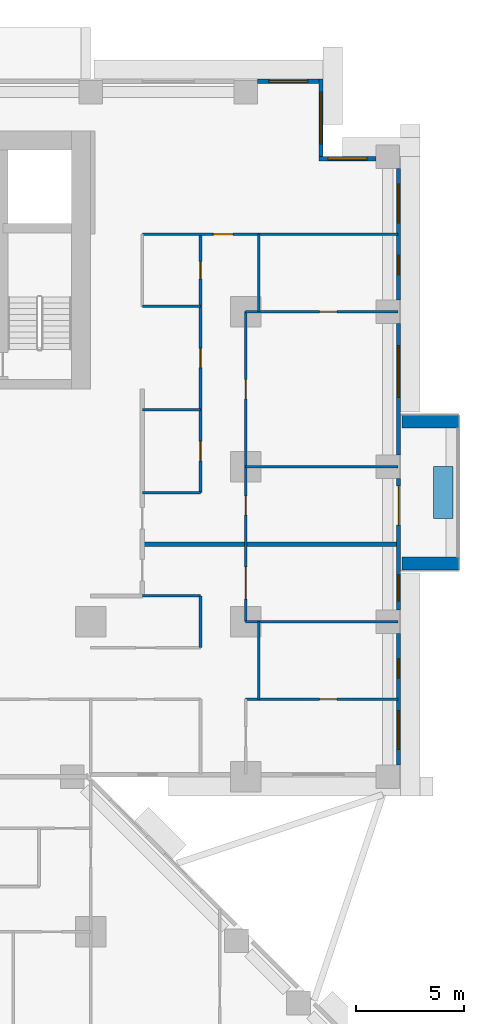
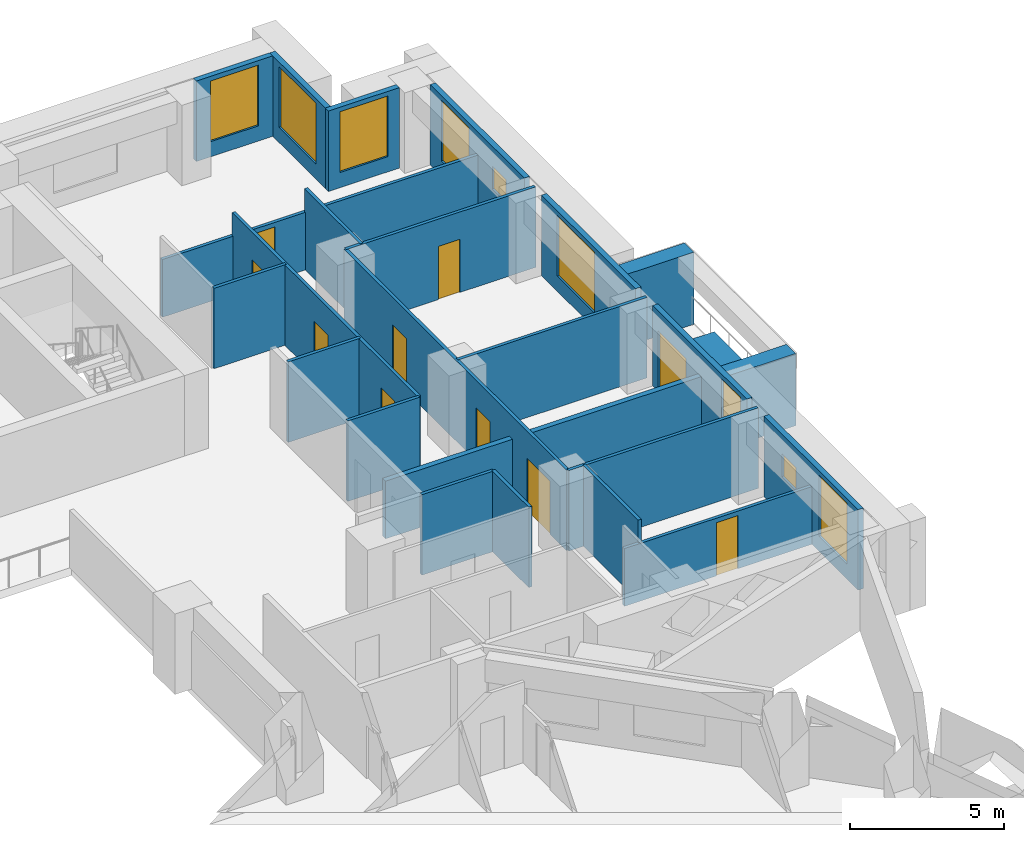
# One storey, part 12 of 17: 25 walls, 10 doors, 9 windows, 19 openings.
"""IFC4 building model written with IfcOpenShell, lengths in metres."""

import ifcopenshell
import ifcopenshell.guid

model = None  # the IFC model being written
_history = None  # IfcOwnerHistory: only IFC2X3 demands one
_inside = {}  # id of a spatial element -> (the spatial element, [elements in it])
_under = {}  # id of a project, library or spatial element -> (it, [spatial elements below it])
_declared = {}  # id of a project -> (the project, [libraries it declares])
_typed = {}  # id of a type object -> (the type object, [elements of that type])
_made_of = {}  # id of a material, layer set ... -> (it, [elements and type objects made of it])


def new_model(schema):
    """Start an empty IFC model of exactly this schema.

    Asked for "IFC4X3", IfcOpenShell would pick the latest addendum, in which some entities
    have other attributes; the version numbers below select the first issue.
    IFC2X3 requires an IfcOwnerHistory on every rooted entity: one is made here for all.
    """
    global model, _history
    if schema == "IFC4X3":
        model = ifcopenshell.file(schema_version=(4, 3, 0, 0))
    else:
        model = ifcopenshell.file(schema=schema)
    _inside.clear()
    _under.clear()
    _declared.clear()
    _typed.clear()
    _made_of.clear()
    _history = None
    if model.schema == "IFC2X3":
        org = make("IfcOrganization", Name="unknown")
        user = make(
            "IfcPersonAndOrganization",
            ThePerson=make("IfcPerson", FamilyName="unknown"),
            TheOrganization=org,
        )
        app = make(
            "IfcApplication",
            ApplicationDeveloper=org,
            Version="unknown",
            ApplicationFullName="unknown",
            ApplicationIdentifier="unknown",
        )
        _history = make(
            "IfcOwnerHistory",
            OwningUser=user,
            OwningApplication=app,
            ChangeAction="ADDED",
            CreationDate=0,
        )
    return model


def make(cls, **values):
    """One entity of the class cls with the attributes given. An attribute that is None is left unset."""
    return model.create_entity(
        cls, **{name: value for name, value in values.items() if value is not None}
    )


def rooted(cls, **values):
    """An entity with a GlobalId (a new one), such as an element, a storey or a relation."""
    return make(cls, GlobalId=ifcopenshell.guid.new(), OwnerHistory=_history, **values)


def si_unit(unit_type, name, prefix=None):
    """IfcSIUnit, for example si_unit("LENGTHUNIT", "METRE", prefix="MILLI")."""
    return make("IfcSIUnit", UnitType=unit_type, Prefix=prefix, Name=name)


def assignment(units):
    """IfcUnitAssignment: the units of a project."""
    return None if units is None else make("IfcUnitAssignment", Units=units)


def point(xyz):
    """IfcCartesianPoint."""
    return None if xyz is None else make("IfcCartesianPoint", Coordinates=xyz)


def direction(xyz):
    """IfcDirection."""
    return None if xyz is None else make("IfcDirection", DirectionRatios=xyz)


def frame(location, z_axis=None, x_axis=None):
    """IfcAxis2Placement3D, a coordinate frame: its origin and axes. An axis left out is left unset."""
    return make(
        "IfcAxis2Placement3D",
        Location=point(location),
        Axis=direction(z_axis),
        RefDirection=direction(x_axis),
    )


def frame_2d(location, x_axis=None):
    """IfcAxis2Placement2D, a coordinate frame in the plane: its origin and x axis."""
    return make(
        "IfcAxis2Placement2D", Location=point(location), RefDirection=direction(x_axis)
    )


def origin():
    """The frame at (0, 0, 0) with its axes left unset."""
    return frame((0.0, 0.0, 0.0))


def place(relative_to, where):
    """IfcLocalPlacement: puts the frame where relative to a parent placement (None: the world)."""
    return make(
        "IfcLocalPlacement", PlacementRelTo=relative_to, RelativePlacement=where
    )


def context(
    kind, dimensions, precision=None, world=None, true_north=None, identifier=None
):
    """IfcGeometricRepresentationContext, for example the 3D "Model" context."""
    return make(
        "IfcGeometricRepresentationContext",
        ContextIdentifier=identifier,
        ContextType=kind,
        CoordinateSpaceDimension=dimensions,
        Precision=precision,
        WorldCoordinateSystem=world,
        TrueNorth=true_north,
    )


def subcontext(parent, identifier, kind, view, scale=None):
    """IfcGeometricRepresentationSubContext, for example "Body" below "Model"."""
    return make(
        "IfcGeometricRepresentationSubContext",
        ContextIdentifier=identifier,
        ContextType=kind,
        ParentContext=parent,
        TargetScale=scale,
        TargetView=view,
    )


def project(units=None, contexts=None):
    """IfcProject with its units and contexts."""
    return rooted(
        "IfcProject",
        Name="project",
        RepresentationContexts=contexts,
        UnitsInContext=assignment(units),
    )


def spatial(cls, under=None, at=None, **own):
    """A site, building, storey or space (cls), placed at a placement, below another one or the project."""
    s = rooted(cls, ObjectPlacement=at, **own)
    if under is not None:
        _under.setdefault(under.id(), (under, []))[1].append(s)
    return s


def profile(cls, at=None, kind="AREA", **sizes):
    """A parametric profile (cls). Its sizes go by their IFC names, for example OverallWidth=200.0."""
    return make(cls, ProfileType=kind, Position=at, **sizes)


def rectangle(**sizes):
    """IfcRectangleProfileDef."""
    return profile("IfcRectangleProfileDef", **sizes)


def extrude(swept, where, along, depth):
    """IfcExtrudedAreaSolid: the profile swept, set in the frame where, extruded along a direction by depth."""
    return make(
        "IfcExtrudedAreaSolid",
        SweptArea=swept,
        Position=where,
        ExtrudedDirection=direction(along),
        Depth=depth,
    )


def shape(context_of_items, identifier, shape_type, items):
    """IfcShapeRepresentation: the items that make up one representation, for example the "Body"."""
    return make(
        "IfcShapeRepresentation",
        ContextOfItems=context_of_items,
        RepresentationIdentifier=identifier,
        RepresentationType=shape_type,
        Items=items,
    )


def material(Name=None, Category=None):
    """IfcMaterial."""
    return make("IfcMaterial", Name=Name, Category=Category)


def layer(
    of_material, thickness, ventilated=None, Name=None, Category=None, Priority=None
):
    """IfcMaterialLayer: one layer of a wall or slab, of a material (None: an air gap)."""
    return make(
        "IfcMaterialLayer",
        Material=of_material,
        LayerThickness=thickness,
        IsVentilated=ventilated,
        Name=Name,
        Category=Category,
        Priority=Priority,
    )


def layer_set(layers, Name=None):
    """IfcMaterialLayerSet."""
    return make("IfcMaterialLayerSet", MaterialLayers=layers, LayerSetName=Name)


def made_of(thing, what):
    """Note that an element or type object is made of a material, layer set ...; save() writes the relation."""
    if what is not None:
        _made_of.setdefault(what.id(), (what, []))[1].append(thing)
    return thing


def type_object(cls, material=None, **own):
    """A type object (cls), such as IfcWallType, which elements share."""
    return made_of(rooted(cls, **own), material)


def element(
    cls,
    number,
    at=None,
    inside=None,
    cuts=None,
    type_object=None,
    material=None,
    context=None,
    identifier="Body",
    shape_type=None,
    held_by="IfcProductDefinitionShape",
    body=None,
    shapes=None,
    **own,
):
    """One element of the class cls, such as IfcWall. Its Tag is "e" and its number.

    at: its placement. inside: the storey or other place that contains it. cuts: it is an
    opening in that element (IfcRelVoidsElement). A single representation is given by context,
    identifier, shape_type and body (its items); several are given by shapes. held_by: the class
    of the entity that holds the representations. save() writes the other relations.
    """
    e = rooted(cls, Tag="e%d" % number, ObjectPlacement=at, **own)
    if body is not None:
        shapes = [shape(context, identifier, shape_type, body)]
    if shapes is not None:
        e.Representation = make(held_by, Representations=shapes)
    if inside is not None:
        _inside.setdefault(inside.id(), (inside, []))[1].append(e)
    if cuts is not None:
        rooted(
            "IfcRelVoidsElement", RelatingBuildingElement=cuts, RelatedOpeningElement=e
        )
    if type_object is not None:
        _typed.setdefault(type_object.id(), (type_object, []))[1].append(e)
    return made_of(e, material)


def fill(opening, filler):
    """IfcRelFillsElement: the door or window that sits in an opening."""
    return rooted(
        "IfcRelFillsElement",
        RelatingOpeningElement=opening,
        RelatedBuildingElement=filler,
    )


def aggregate(whole, parts):
    """IfcRelAggregates: a whole, such as a stair, and the parts it consists of."""
    return rooted("IfcRelAggregates", RelatingObject=whole, RelatedObjects=parts)


def save(model, path):
    """Write the relations noted so far, then the file.

    IfcRelAggregates (storeys below a building ...), IfcRelContainedInSpatialStructure (elements
    in a storey), IfcRelDefinesByType, IfcRelAssociatesMaterial and IfcRelDeclares: one each for
    every whole, place, type object, material and project.
    """
    for whole, parts in _under.values():
        aggregate(whole, parts)
    for where, things in _inside.values():
        rooted(
            "IfcRelContainedInSpatialStructure",
            RelatedElements=things,
            RelatingStructure=where,
        )
    for kind, things in _typed.values():
        rooted("IfcRelDefinesByType", RelatedObjects=things, RelatingType=kind)
    for what, things in _made_of.values():
        rooted("IfcRelAssociatesMaterial", RelatedObjects=things, RelatingMaterial=what)
    for by, libraries in _declared.values():
        rooted("IfcRelDeclares", RelatingContext=by, RelatedDefinitions=libraries)
    model.write(path)


model = new_model("IFC4")

# Units and contexts
model_context = context("Model", 3, precision=1e-05, world=origin(), true_north=direction((0.0, 1.0)))
body_context = subcontext(model_context, "Body", "Model", "MODEL_VIEW")
ifc_project = project(units=[si_unit("LENGTHUNIT", "METRE"), si_unit("AREAUNIT", "SQUARE_METRE"), si_unit("VOLUMEUNIT", "CUBIC_METRE"), si_unit("PLANEANGLEUNIT", "RADIAN"), si_unit("MASSUNIT", "GRAM", prefix="KILO")], contexts=[model_context])

# Site, building, storey
site_placement = place(None, origin())
site = spatial("IfcSite", under=ifc_project, at=site_placement, CompositionType="ELEMENT")
building_placement = place(site_placement, origin())
building = spatial("IfcBuilding", under=site, at=building_placement, Name="Saffron Iwan Residences", CompositionType="ELEMENT")
storey_placement = place(building_placement, frame((0.0, 0.0, 55.0)))
storey = spatial("IfcBuildingStorey", under=building, at=storey_placement, Name="L13", CompositionType="ELEMENT", Elevation=55.0)

# Walls
ifc_material_1 = material(Name="Concrete C50/60 white painted", Category="concrete")
ifc_layer_1 = layer(ifc_material_1, 0.60009765625)
ifc_layer_set_1 = layer_set([ifc_layer_1], Name="Concrete C50/60 white painted")
wall_type_1 = type_object("IfcWallType", Name="BALCONY FIN 600", PredefinedType="SOLIDWALL", material=ifc_layer_set_1)
for number, where, z_axis, x_axis, name in (
    (1, (86.449951171875, 57.89990234375, 0.0), (0.0, 0.0, 1.0), (1.0, 0.0, 0.0), "Balcony fin L13 F2-0a"),
    (2, (86.449951171875, 64.5, 0.0), (0.0, 0.0, 1.0), (1.0, 0.0, 0.0), "Balcony fin L13 F2-0b"),
):
    element("IfcWall", number, at=place(storey_placement, frame(where, z_axis=z_axis, x_axis=x_axis)), inside=storey, type_object=wall_type_1, Name=name, PredefinedType="SOLIDWALL", context=body_context, shape_type="SweptSolid", body=[
        extrude(rectangle(XDim=2.650146484375, YDim=0.60009765625, at=frame_2d((1.3251953125, 0.0))), origin(), (0.0, 0.0, 1.0), 2.85009765625),
    ])
ifc_material_2 = material(Name="Concrete C35/45 white painted", Category="concrete")
ifc_layer_2 = layer(ifc_material_2, 0.14990234375)
ifc_layer_set_2 = layer_set([ifc_layer_2], Name="Concrete C35/45 white painted")
wall_type_2 = type_object("IfcWallType", Name="BALCONY PLANTER", PredefinedType="SOLIDWALL", material=ifc_layer_set_2)
wall_1_placement = place(storey_placement, frame((88.375, 60.0, 0.0), z_axis=(0.0, 0.0, 1.0), x_axis=(0.0, 1.0, 0.0)))
element("IfcWall", 3, at=wall_1_placement, inside=storey, type_object=wall_type_2, Name="PLANTER L13 F2-0", PredefinedType="SOLIDWALL", context=body_context, shape_type="SweptSolid", body=[
    extrude(rectangle(XDim=2.39990234375, YDim=0.89990234375, at=frame_2d((1.199951171875, 0.0))), origin(), (0.0, 0.0, 1.0), 0.89990234375),
])

# Wall, openings, windows
ifc_material_3 = material(Name="Concrete C40/50", Category="concrete")
ifc_layer_3 = layer(ifc_material_3, 0.199951171875)
ifc_layer_set_3 = layer_set([ifc_layer_3], Name="Concrete C40/50")
wall_type_3 = type_object("IfcWallType", Name="EXTERNAL WALL 200", PredefinedType="SOLIDWALL", material=ifc_layer_set_3)
wall_2_placement = place(storey_placement, frame((86.300048828125, 48.550048828125, 0.0), z_axis=(0.0, 0.0, 1.0), x_axis=(0.0, 1.0, 0.0)))
wall_2 = element("IfcWall", 4, at=wall_2_placement, inside=storey, type_object=wall_type_3, Name="External wall L13 F2.0", PredefinedType="SOLIDWALL", context=body_context, shape_type="SweptSolid", body=[
    extrude(rectangle(XDim=6.099853515625, YDim=0.199951171875, at=frame_2d((3.0498046875, 0.0))), origin(), (0.0, 0.0, 1.0), 3.179931640625),
])
opening_1_placement = place(wall_2_placement, frame((0.72509765625, 0.0, 0.60009765625)))
opening_1 = element("IfcOpeningElement", 5, at=opening_1_placement, cuts=wall_2, Name="Opening W8", PredefinedType="OPENING", context=body_context, shape_type="SweptSolid", body=[
    extrude(rectangle(XDim=1.800048828125, YDim=2.39990234375, at=frame_2d((0.89990234375, 1.199951171875))), frame((0.0, 0.10986328125, 0.0), z_axis=(0.0, -1.0, 0.0), x_axis=(1.0, 0.0, 0.0)), (0.0, 0.0, 1.0), 0.219970703125),
])
opening_2_placement = place(wall_2_placement, frame((4.02490234375, 0.0, 1.5)))
opening_2 = element("IfcOpeningElement", 6, at=opening_2_placement, cuts=wall_2, Name="Opening W6", PredefinedType="OPENING", context=body_context, shape_type="SweptSolid", body=[
    extrude(rectangle(XDim=0.89990234375, YDim=0.89990234375, at=frame_2d((0.449951171875, 0.449951171875))), frame((0.0, 0.10986328125, 0.0), z_axis=(0.0, -1.0, 0.0), x_axis=(1.0, 0.0, 0.0)), (0.0, 0.0, 1.0), 0.219970703125),
])
ifc_material_4 = material(Name="Clear glass, laminated double glazed", Category="glass")
window_type_1 = type_object("IfcWindowType", Name="WINDOW 1800 x 2400", PartitioningType="DOUBLE_PANEL_VERTICAL", PredefinedType="WINDOW", material=ifc_material_4)
window_1_placement = place(opening_1_placement, origin())
window_1 = element("IfcWindow", 7, at=window_1_placement, inside=storey, type_object=window_type_1, Name="Window L13 F2.0", OverallHeight=2.39990234375, OverallWidth=1.800048828125, PartitioningType="DOUBLE_PANEL_VERTICAL", PredefinedType="WINDOW", context=body_context, shape_type="SweptSolid", body=[
    extrude(rectangle(XDim=1.800048828125, YDim=2.39990234375, at=frame_2d((0.89990234375, 1.199951171875))), frame((0.0, 0.030029296875, 0.0), z_axis=(0.0, -1.0, 0.0), x_axis=(1.0, 0.0, 0.0)), (0.0, 0.0, 1.0), 0.06005859375),
])
fill(opening_1, window_1)
window_type_2 = type_object("IfcWindowType", Name="WINDOW 900 x 900 BATH", PartitioningType="SINGLE_PANEL", PredefinedType="WINDOW", material=ifc_material_4)
window_2_placement = place(opening_2_placement, origin())
window_2 = element("IfcWindow", 8, at=window_2_placement, inside=storey, type_object=window_type_2, Name="Window L13 F2.1", OverallHeight=0.89990234375, OverallWidth=0.89990234375, PartitioningType="SINGLE_PANEL", PredefinedType="WINDOW", context=body_context, shape_type="SweptSolid", body=[
    extrude(rectangle(XDim=0.89990234375, YDim=0.89990234375, at=frame_2d((0.449951171875, 0.449951171875))), frame((0.0, 0.030029296875, 0.0), z_axis=(0.0, -1.0, 0.0), x_axis=(1.0, 0.0, 0.0)), (0.0, 0.0, 1.0), 0.06005859375),
])
fill(opening_2, window_2)

# Wall, openings, door, window
wall_3_placement = place(storey_placement, frame((86.300048828125, 55.75, 0.0), z_axis=(0.0, 0.0, 1.0), x_axis=(0.0, 1.0, 0.0)))
wall_3 = element("IfcWall", 9, at=wall_3_placement, inside=storey, type_object=wall_type_3, Name="External wall L13 F2.1", PredefinedType="SOLIDWALL", context=body_context, shape_type="SweptSolid", body=[
    extrude(rectangle(XDim=6.10009765625, YDim=0.199951171875, at=frame_2d((3.050048828125, 0.0))), origin(), (0.0, 0.0, 1.0), 3.179931640625),
])
opening_3_placement = place(wall_3_placement, frame((3.949951171875, 0.0, 0.0)))
opening_3 = element("IfcOpeningElement", 10, at=opening_3_placement, cuts=wall_3, Name="Opening BD1", PredefinedType="OPENING", context=body_context, shape_type="SweptSolid", body=[
    extrude(rectangle(XDim=1.800048828125, YDim=2.39990234375, at=frame_2d((0.89990234375, 1.199951171875))), frame((0.0, 0.10986328125, 0.0), z_axis=(0.0, -1.0, 0.0), x_axis=(1.0, 0.0, 0.0)), (0.0, 0.0, 1.0), 0.219970703125),
])
opening_4_placement = place(wall_3_placement, frame((0.425048828125, 0.0, 0.60009765625)))
opening_4 = element("IfcOpeningElement", 11, at=opening_4_placement, cuts=wall_3, Name="Opening W3", PredefinedType="OPENING", context=body_context, shape_type="SweptSolid", body=[
    extrude(rectangle(XDim=1.199951171875, YDim=2.39990234375, at=frame_2d((0.60009765625, 1.199951171875))), frame((0.0, 0.10986328125, 0.0), z_axis=(0.0, -1.0, 0.0), x_axis=(1.0, 0.0, 0.0)), (0.0, 0.0, 1.0), 0.219970703125),
])
door_type_1 = type_object("IfcDoorType", Name="BALCONY DOOR 1800 x 2400", OperationType="DOUBLE_DOOR_SLIDING", PredefinedType="DOOR", material=ifc_material_4)
door_1_placement = place(opening_3_placement, origin())
door_1 = element("IfcDoor", 12, at=door_1_placement, inside=storey, type_object=door_type_1, Name="Balcony door L13 F2.0", OperationType="DOUBLE_DOOR_SLIDING", OverallHeight=2.39990234375, OverallWidth=1.800048828125, PredefinedType="DOOR", context=body_context, shape_type="SweptSolid", body=[
    extrude(rectangle(XDim=1.800048828125, YDim=2.39990234375, at=frame_2d((0.89990234375, 1.199951171875))), frame((0.0, 0.02490234375, 0.0), z_axis=(0.0, -1.0, 0.0), x_axis=(1.0, 0.0, 0.0)), (0.0, 0.0, 1.0), 0.050048828125),
])
fill(opening_3, door_1)
window_type_3 = type_object("IfcWindowType", Name="WINDOW 1200 x 2400", PartitioningType="SINGLE_PANEL", PredefinedType="WINDOW", material=ifc_material_4)
window_3_placement = place(opening_4_placement, origin())
window_3 = element("IfcWindow", 13, at=window_3_placement, inside=storey, type_object=window_type_3, Name="Window L13 F2.1", OverallHeight=2.39990234375, OverallWidth=1.199951171875, PartitioningType="SINGLE_PANEL", PredefinedType="WINDOW", context=body_context, shape_type="SweptSolid", body=[
    extrude(rectangle(XDim=1.199951171875, YDim=2.39990234375, at=frame_2d((0.60009765625, 1.199951171875))), frame((0.0, 0.030029296875, 0.0), z_axis=(0.0, -1.0, 0.0), x_axis=(1.0, 0.0, 0.0)), (0.0, 0.0, 1.0), 0.06005859375),
])
fill(opening_4, window_3)

# Wall, opening, window
wall_4_placement = place(storey_placement, frame((86.300048828125, 62.949951171875, 0.0), z_axis=(0.0, 0.0, 1.0), x_axis=(0.0, 1.0, 0.0)))
wall_4 = element("IfcWall", 14, at=wall_4_placement, inside=storey, type_object=wall_type_3, Name="External wall L13 F2.2", PredefinedType="SOLIDWALL", context=body_context, shape_type="SweptSolid", body=[
    extrude(rectangle(XDim=6.10009765625, YDim=0.199951171875, at=frame_2d((3.050048828125, 0.0))), origin(), (0.0, 0.0, 1.0), 3.179931640625),
])
opening_5_placement = place(wall_4_placement, frame((2.675048828125, 0.0, 0.60009765625)))
opening_5 = element("IfcOpeningElement", 15, at=opening_5_placement, cuts=wall_4, Name="Opening W1", PredefinedType="OPENING", context=body_context, shape_type="SweptSolid", body=[
    extrude(rectangle(XDim=2.39990234375, YDim=2.39990234375, at=frame_2d((1.199951171875, 1.199951171875))), frame((0.0, 0.10986328125, 0.0), z_axis=(0.0, -1.0, 0.0), x_axis=(1.0, 0.0, 0.0)), (0.0, 0.0, 1.0), 0.219970703125),
])
window_type_4 = type_object("IfcWindowType", Name="WINDOW 2400 x 2400", PartitioningType="DOUBLE_PANEL_VERTICAL", PredefinedType="WINDOW", material=ifc_material_4)
window_4_placement = place(opening_5_placement, origin())
window_4 = element("IfcWindow", 16, at=window_4_placement, inside=storey, type_object=window_type_4, Name="Window L13 F2.0", OverallHeight=2.39990234375, OverallWidth=2.39990234375, PartitioningType="DOUBLE_PANEL_VERTICAL", PredefinedType="WINDOW", context=body_context, shape_type="SweptSolid", body=[
    extrude(rectangle(XDim=2.39990234375, YDim=2.39990234375, at=frame_2d((1.199951171875, 1.199951171875))), frame((0.0, 0.030029296875, 0.0), z_axis=(0.0, -1.0, 0.0), x_axis=(1.0, 0.0, 0.0)), (0.0, 0.0, 1.0), 0.06005859375),
])
fill(opening_5, window_4)

# Wall, openings, windows
wall_5_placement = place(storey_placement, frame((86.300048828125, 70.14990234375, 0.0), z_axis=(0.0, 0.0, 1.0), x_axis=(0.0, 1.0, 0.0)))
wall_5 = element("IfcWall", 17, at=wall_5_placement, inside=storey, type_object=wall_type_3, Name="External wall L13 F2.3", PredefinedType="SOLIDWALL", context=body_context, shape_type="SweptSolid", body=[
    extrude(rectangle(XDim=6.10009765625, YDim=0.199951171875, at=frame_2d((3.050048828125, 0.0))), origin(), (0.0, 0.0, 1.0), 3.179931640625),
])
opening_6_placement = place(wall_5_placement, frame((1.175048828125, 0.0, 1.5)))
opening_6 = element("IfcOpeningElement", 18, at=opening_6_placement, cuts=wall_5, Name="Opening W6", PredefinedType="OPENING", context=body_context, shape_type="SweptSolid", body=[
    extrude(rectangle(XDim=0.89990234375, YDim=0.89990234375, at=frame_2d((0.449951171875, 0.449951171875))), frame((0.0, 0.10986328125, 0.0), z_axis=(0.0, -1.0, 0.0), x_axis=(1.0, 0.0, 0.0)), (0.0, 0.0, 1.0), 0.219970703125),
])
opening_7_placement = place(wall_5_placement, frame((3.574951171875, 0.0, 0.60009765625)))
opening_7 = element("IfcOpeningElement", 19, at=opening_7_placement, cuts=wall_5, Name="Opening W8", PredefinedType="OPENING", context=body_context, shape_type="SweptSolid", body=[
    extrude(rectangle(XDim=1.800048828125, YDim=2.39990234375, at=frame_2d((0.89990234375, 1.199951171875))), frame((0.0, 0.10986328125, 0.0), z_axis=(0.0, -1.0, 0.0), x_axis=(1.0, 0.0, 0.0)), (0.0, 0.0, 1.0), 0.219970703125),
])
window_5_placement = place(opening_7_placement, origin())
window_5 = element("IfcWindow", 20, at=window_5_placement, inside=storey, type_object=window_type_1, Name="Window L13 F2.1", OverallHeight=2.39990234375, OverallWidth=1.800048828125, PartitioningType="DOUBLE_PANEL_VERTICAL", PredefinedType="WINDOW", context=body_context, shape_type="SweptSolid", body=[
    extrude(rectangle(XDim=1.800048828125, YDim=2.39990234375, at=frame_2d((0.89990234375, 1.199951171875))), frame((0.0, 0.030029296875, 0.0), z_axis=(0.0, -1.0, 0.0), x_axis=(1.0, 0.0, 0.0)), (0.0, 0.0, 1.0), 0.06005859375),
])
fill(opening_7, window_5)
window_6_placement = place(opening_6_placement, origin())
window_6 = element("IfcWindow", 21, at=window_6_placement, inside=storey, type_object=window_type_2, Name="Window L13 F2.0", OverallHeight=0.89990234375, OverallWidth=0.89990234375, PartitioningType="SINGLE_PANEL", PredefinedType="WINDOW", context=body_context, shape_type="SweptSolid", body=[
    extrude(rectangle(XDim=0.89990234375, YDim=0.89990234375, at=frame_2d((0.449951171875, 0.449951171875))), frame((0.0, 0.030029296875, 0.0), z_axis=(0.0, -1.0, 0.0), x_axis=(1.0, 0.0, 0.0)), (0.0, 0.0, 1.0), 0.06005859375),
])
fill(opening_6, window_6)

# Wall, opening, window
wall_6_placement = place(storey_placement, frame((85.25, 76.699951171875, 0.0), z_axis=(0.0, 0.0, 1.0), x_axis=(-1.0, 0.0, 0.0)))
wall_6 = element("IfcWall", 22, at=wall_6_placement, inside=storey, type_object=wall_type_3, Name="External wall L13 F3.0", PredefinedType="SOLIDWALL", context=body_context, shape_type="SweptSolid", body=[
    extrude(rectangle(XDim=2.64990234375, YDim=0.199951171875, at=frame_2d((1.324951171875, 0.0))), origin(), (0.0, 0.0, 1.0), 3.179931640625),
])
opening_8_placement = place(wall_6_placement, frame((0.425048828125, 0.0, 0.60009765625)))
opening_8 = element("IfcOpeningElement", 23, at=opening_8_placement, cuts=wall_6, Name="Opening W8", PredefinedType="OPENING", context=body_context, shape_type="SweptSolid", body=[
    extrude(rectangle(XDim=1.800048828125, YDim=2.39990234375, at=frame_2d((0.89990234375, 1.199951171875))), frame((0.0, 0.10986328125, 0.0), z_axis=(0.0, -1.0, 0.0), x_axis=(1.0, 0.0, 0.0)), (0.0, 0.0, 1.0), 0.219970703125),
])
window_7_placement = place(opening_8_placement, origin())
window_7 = element("IfcWindow", 24, at=window_7_placement, inside=storey, type_object=window_type_1, Name="Window L13 F3.0", OverallHeight=2.39990234375, OverallWidth=1.800048828125, PartitioningType="DOUBLE_PANEL_VERTICAL", PredefinedType="WINDOW", context=body_context, shape_type="SweptSolid", body=[
    extrude(rectangle(XDim=1.800048828125, YDim=2.39990234375, at=frame_2d((0.89990234375, 1.199951171875))), frame((0.0, 0.030029296875, 0.0), z_axis=(0.0, -1.0, 0.0), x_axis=(1.0, 0.0, 0.0)), (0.0, 0.0, 1.0), 0.06005859375),
])
fill(opening_8, window_7)

wall_7_placement = place(storey_placement, frame((82.699951171875, 76.800048828125, 0.0), z_axis=(0.0, 0.0, 1.0), x_axis=(0.0, 1.0, 0.0)))
wall_7 = element("IfcWall", 25, at=wall_7_placement, inside=storey, type_object=wall_type_3, Name="External wall L13 F4.0", PredefinedType="SOLIDWALL", context=body_context, shape_type="SweptSolid", body=[
    extrude(rectangle(XDim=3.599853515625, YDim=0.199951171875, at=frame_2d((1.7998046875, 0.0))), origin(), (0.0, 0.0, 1.0), 3.179931640625),
])
opening_9_placement = place(wall_7_placement, frame((0.60009765625, 0.0, 0.60009765625)))
opening_9 = element("IfcOpeningElement", 26, at=opening_9_placement, cuts=wall_7, Name="Opening W1", PredefinedType="OPENING", context=body_context, shape_type="SweptSolid", body=[
    extrude(rectangle(XDim=2.39990234375, YDim=2.39990234375, at=frame_2d((1.199951171875, 1.199951171875))), frame((0.0, 0.10986328125, 0.0), z_axis=(0.0, -1.0, 0.0), x_axis=(1.0, 0.0, 0.0)), (0.0, 0.0, 1.0), 0.219970703125),
])
window_8_placement = place(opening_9_placement, origin())
window_8 = element("IfcWindow", 27, at=window_8_placement, inside=storey, type_object=window_type_4, Name="Window L13 F4.0", OverallHeight=2.39990234375, OverallWidth=2.39990234375, PartitioningType="DOUBLE_PANEL_VERTICAL", PredefinedType="WINDOW", context=body_context, shape_type="SweptSolid", body=[
    extrude(rectangle(XDim=2.39990234375, YDim=2.39990234375, at=frame_2d((1.199951171875, 1.199951171875))), frame((0.0, 0.030029296875, 0.0), z_axis=(0.0, -1.0, 0.0), x_axis=(1.0, 0.0, 0.0)), (0.0, 0.0, 1.0), 0.06005859375),
])
fill(opening_9, window_8)

wall_8_placement = place(storey_placement, frame((82.60009765625, 80.300048828125, 0.0), z_axis=(0.0, 0.0, 1.0), x_axis=(-1.0, 0.0, 0.0)))
wall_8 = element("IfcWall", 28, at=wall_8_placement, inside=storey, type_object=wall_type_3, Name="External wall L13 F5.0", PredefinedType="SOLIDWALL", context=body_context, shape_type="SweptSolid", body=[
    extrude(rectangle(XDim=2.85009765625, YDim=0.199951171875, at=frame_2d((1.425048828125, 0.0))), origin(), (0.0, 0.0, 1.0), 3.179931640625),
])
opening_10_placement = place(wall_8_placement, frame((0.52490234375, 0.0, 0.60009765625)))
opening_10 = element("IfcOpeningElement", 29, at=opening_10_placement, cuts=wall_8, Name="Opening W8", PredefinedType="OPENING", context=body_context, shape_type="SweptSolid", body=[
    extrude(rectangle(XDim=1.800048828125, YDim=2.39990234375, at=frame_2d((0.89990234375, 1.199951171875))), frame((0.0, 0.10986328125, 0.0), z_axis=(0.0, -1.0, 0.0), x_axis=(1.0, 0.0, 0.0)), (0.0, 0.0, 1.0), 0.219970703125),
])
window_9_placement = place(opening_10_placement, origin())
window_9 = element("IfcWindow", 30, at=window_9_placement, inside=storey, type_object=window_type_1, Name="Window L13 F5.0", OverallHeight=2.39990234375, OverallWidth=1.800048828125, PartitioningType="DOUBLE_PANEL_VERTICAL", PredefinedType="WINDOW", context=body_context, shape_type="SweptSolid", body=[
    extrude(rectangle(XDim=1.800048828125, YDim=2.39990234375, at=frame_2d((0.89990234375, 1.199951171875))), frame((0.0, 0.030029296875, 0.0), z_axis=(0.0, -1.0, 0.0), x_axis=(1.0, 0.0, 0.0)), (0.0, 0.0, 1.0), 0.06005859375),
])
fill(opening_10, window_9)

# Wall
ifc_material_5 = material(Name="Fire-rated gypsum board wall")
ifc_layer_4 = layer(ifc_material_5, 0.199951171875)
ifc_layer_set_4 = layer_set([ifc_layer_4], Name="Fire-rated gypsum board wall")
wall_type_4 = type_object("IfcWallType", Name="Flat demising wall 200", PredefinedType="SOLIDWALL", material=ifc_layer_set_4)
wall_9_placement = place(storey_placement, frame((74.39990234375, 58.800048828125, 0.0), z_axis=(0.0, 0.0, 1.0), x_axis=(1.0, 0.0, 0.0)))
element("IfcWall", 31, at=wall_9_placement, inside=storey, type_object=wall_type_4, Name="W-L13-DEMISE-h58.8-74.4", PredefinedType="SOLIDWALL", context=body_context, shape_type="SweptSolid", body=[
    extrude(rectangle(XDim=11.875, YDim=0.199951171875, at=frame_2d((5.9375, 0.0))), origin(), (0.0, 0.0, 1.0), 2.280029296875),
])

# Wall, opening, door
ifc_material_6 = material(Name="Gypsum board partition")
ifc_layer_5 = layer(ifc_material_6, 0.1201171875)
ifc_layer_set_5 = layer_set([ifc_layer_5], Name="Gypsum board partition")
wall_type_5 = type_object("IfcWallType", Name="Flat partition 120", PredefinedType="PARTITIONING", material=ifc_layer_set_5)
wall_10_placement = place(storey_placement, frame((79.199951171875, 51.60009765625, 0.0), z_axis=(0.0, 0.0, 1.0), x_axis=(1.0, 0.0, 0.0)))
wall_10 = element("IfcWall", 32, at=wall_10_placement, inside=storey, type_object=wall_type_5, Name="W-L13-PART-h51.6-79.2", PredefinedType="PARTITIONING", context=body_context, shape_type="SweptSolid", body=[
    extrude(rectangle(XDim=7.074951171875, YDim=0.1201171875, at=frame_2d((3.53759765625, 0.0))), origin(), (0.0, 0.0, 1.0), 2.280029296875),
])
opening_11_placement = place(wall_10_placement, frame((3.4375, 0.0, 0.0)))
opening_11 = element("IfcOpeningElement", 33, at=opening_11_placement, cuts=wall_10, Name="Opening FD3", PredefinedType="OPENING", context=body_context, shape_type="SweptSolid", body=[
    extrude(rectangle(XDim=0.800048828125, YDim=2.10009765625, at=frame_2d((0.39990234375, 1.050048828125))), frame((0.0, 0.070068359375, 0.0), z_axis=(0.0, -1.0, 0.0), x_axis=(1.0, 0.0, 0.0)), (0.0, 0.0, 1.0), 0.14013671875),
])
ifc_material_7 = material(Name="Timber door", Category="wood")
door_type_2 = type_object("IfcDoorType", Name="Bathroom door 800", OperationType="NOTDEFINED", PredefinedType="DOOR", material=ifc_material_7)
door_2_placement = place(opening_11_placement, origin())
door_2 = element("IfcDoor", 34, at=door_2_placement, inside=storey, type_object=door_type_2, Name="Door L13-023", OperationType="SINGLE_SWING_LEFT", OverallHeight=2.10009765625, OverallWidth=0.800048828125, PredefinedType="DOOR", context=body_context, shape_type="SweptSolid", body=[
    extrude(rectangle(XDim=0.800048828125, YDim=2.10009765625, at=frame_2d((0.39990234375, 1.050048828125))), frame((0.0, 0.02490234375, 0.0), z_axis=(0.0, -1.0, 0.0), x_axis=(1.0, 0.0, 0.0)), (0.0, 0.0, 1.0), 0.050048828125),
])
fill(opening_11, door_2)

# Walls
wall_11_placement = place(storey_placement, frame((79.199951171875, 55.199951171875, 0.0), z_axis=(0.0, 0.0, 1.0), x_axis=(1.0, 0.0, 0.0)))
element("IfcWall", 35, at=wall_11_placement, inside=storey, type_object=wall_type_5, Name="W-L13-PART-h55.2-79.2", PredefinedType="PARTITIONING", context=body_context, shape_type="SweptSolid", body=[
    extrude(rectangle(XDim=7.074951171875, YDim=0.1201171875, at=frame_2d((3.53759765625, 0.0))), origin(), (0.0, 0.0, 1.0), 3.179931640625),
])
for number, where, z_axis, x_axis, name in (
    (36, (74.39990234375, 56.39990234375, 0.0), (0.0, 0.0, 1.0), (1.0, 0.0, 0.0), "W-L13-PART-h56.4-74.4"),
    (37, (74.39990234375, 61.199951171875, 0.0), (0.0, 0.0, 1.0), (1.0, 0.0, 0.0), "W-L13-PART-h61.2-74.4"),
):
    element("IfcWall", number, at=place(storey_placement, frame(where, z_axis=z_axis, x_axis=x_axis)), inside=storey, type_object=wall_type_5, Name=name, PredefinedType="PARTITIONING", context=body_context, shape_type="SweptSolid", body=[
        extrude(rectangle(XDim=2.7001953125, YDim=0.1201171875, at=frame_2d((1.35009765625, 0.0))), origin(), (0.0, 0.0, 1.0), 3.179931640625),
    ])
wall_12_placement = place(storey_placement, frame((79.199951171875, 62.39990234375, 0.0), z_axis=(0.0, 0.0, 1.0), x_axis=(1.0, 0.0, 0.0)))
element("IfcWall", 38, at=wall_12_placement, inside=storey, type_object=wall_type_5, Name="W-L13-PART-h62.4-79.2", PredefinedType="PARTITIONING", context=body_context, shape_type="SweptSolid", body=[
    extrude(rectangle(XDim=7.074951171875, YDim=0.1201171875, at=frame_2d((3.53759765625, 0.0))), origin(), (0.0, 0.0, 1.0), 3.179931640625),
])
wall_13_placement = place(storey_placement, frame((74.39990234375, 65.050048828125, 0.0), z_axis=(0.0, 0.0, 1.0), x_axis=(1.0, 0.0, 0.0)))
element("IfcWall", 39, at=wall_13_placement, inside=storey, type_object=wall_type_5, Name="W-L13-PART-h65.05-74.4", PredefinedType="PARTITIONING", context=body_context, shape_type="SweptSolid", body=[
    extrude(rectangle(XDim=2.7001953125, YDim=0.1201171875, at=frame_2d((1.35009765625, 0.0))), origin(), (0.0, 0.0, 1.0), 3.179931640625),
])

# Wall, opening, door
wall_14_placement = place(storey_placement, frame((79.199951171875, 69.60009765625, 0.0), z_axis=(0.0, 0.0, 1.0), x_axis=(1.0, 0.0, 0.0)))
wall_14 = element("IfcWall", 40, at=wall_14_placement, inside=storey, type_object=wall_type_5, Name="W-L13-PART-h69.6-79.2", PredefinedType="PARTITIONING", context=body_context, shape_type="SweptSolid", body=[
    extrude(rectangle(XDim=7.074951171875, YDim=0.1201171875, at=frame_2d((3.53759765625, 0.0))), origin(), (0.0, 0.0, 1.0), 3.179931640625),
])
opening_12_placement = place(wall_14_placement, frame((3.4375, 0.0, 0.0)))
opening_12 = element("IfcOpeningElement", 41, at=opening_12_placement, cuts=wall_14, Name="Opening FD3", PredefinedType="OPENING", context=body_context, shape_type="SweptSolid", body=[
    extrude(rectangle(XDim=0.800048828125, YDim=2.10009765625, at=frame_2d((0.39990234375, 1.050048828125))), frame((0.0, 0.070068359375, 0.0), z_axis=(0.0, -1.0, 0.0), x_axis=(1.0, 0.0, 0.0)), (0.0, 0.0, 1.0), 0.14013671875),
])
door_3_placement = place(opening_12_placement, origin())
door_3 = element("IfcDoor", 42, at=door_3_placement, inside=storey, type_object=door_type_2, Name="Door L13-039", OperationType="SINGLE_SWING_RIGHT", OverallHeight=2.10009765625, OverallWidth=0.800048828125, PredefinedType="DOOR", context=body_context, shape_type="SweptSolid", body=[
    extrude(rectangle(XDim=0.800048828125, YDim=2.10009765625, at=frame_2d((0.39990234375, 1.050048828125))), frame((0.0, 0.02490234375, 0.0), z_axis=(0.0, -1.0, 0.0), x_axis=(1.0, 0.0, 0.0)), (0.0, 0.0, 1.0), 0.050048828125),
])
fill(opening_12, door_3)

# Wall
wall_15_placement = place(storey_placement, frame((74.39990234375, 69.85009765625, 0.0), z_axis=(0.0, 0.0, 1.0), x_axis=(1.0, 0.0, 0.0)))
element("IfcWall", 43, at=wall_15_placement, inside=storey, type_object=wall_type_5, Name="W-L13-PART-h69.85-74.4", PredefinedType="PARTITIONING", context=body_context, shape_type="SweptSolid", body=[
    extrude(rectangle(XDim=2.7001953125, YDim=0.1201171875, at=frame_2d((1.35009765625, 0.0))), origin(), (0.0, 0.0, 1.0), 3.179931640625),
])

# Wall, opening, door
wall_16_placement = place(storey_placement, frame((74.39990234375, 73.199951171875, 0.0), z_axis=(0.0, 0.0, 1.0), x_axis=(1.0, 0.0, 0.0)))
wall_16 = element("IfcWall", 44, at=wall_16_placement, inside=storey, type_object=wall_type_5, Name="W-L13-PART-h73.2-74.4", PredefinedType="PARTITIONING", context=body_context, shape_type="SweptSolid", body=[
    extrude(rectangle(XDim=11.875, YDim=0.1201171875, at=frame_2d((5.9375, 0.0))), origin(), (0.0, 0.0, 1.0), 2.280029296875),
])
opening_13_placement = place(wall_16_placement, frame((3.300048828125, 0.0, 0.0)))
opening_13 = element("IfcOpeningElement", 45, at=opening_13_placement, cuts=wall_16, Name="Opening FD2", PredefinedType="OPENING", context=body_context, shape_type="SweptSolid", body=[
    extrude(rectangle(XDim=0.89990234375, YDim=2.10009765625, at=frame_2d((0.449951171875, 1.050048828125))), frame((0.0, 0.070068359375, 0.0), z_axis=(0.0, -1.0, 0.0), x_axis=(1.0, 0.0, 0.0)), (0.0, 0.0, 1.0), 0.14013671875),
])
door_type_3 = type_object("IfcDoorType", Name="Flat door 900", OperationType="NOTDEFINED", PredefinedType="DOOR", material=ifc_material_7)
door_4_placement = place(opening_13_placement, origin())
door_4 = element("IfcDoor", 46, at=door_4_placement, inside=storey, type_object=door_type_3, Name="Door L13-040", OperationType="SINGLE_SWING_LEFT", OverallHeight=2.10009765625, OverallWidth=0.89990234375, PredefinedType="DOOR", context=body_context, shape_type="SweptSolid", body=[
    extrude(rectangle(XDim=0.89990234375, YDim=2.10009765625, at=frame_2d((0.449951171875, 1.050048828125))), frame((0.0, 0.02490234375, 0.0), z_axis=(0.0, -1.0, 0.0), x_axis=(1.0, 0.0, 0.0)), (0.0, 0.0, 1.0), 0.050048828125),
])
fill(opening_13, door_4)

# Wall
wall_17_placement = place(storey_placement, frame((77.10009765625, 54.0, 0.0), z_axis=(0.0, 0.0, 1.0), x_axis=(0.0, 1.0, 0.0)))
element("IfcWall", 47, at=wall_17_placement, inside=storey, type_object=wall_type_5, Name="W-L13-PART-v77.1-54", PredefinedType="PARTITIONING", context=body_context, shape_type="SweptSolid", body=[
    extrude(rectangle(XDim=2.39990234375, YDim=0.1201171875, at=frame_2d((1.199951171875, 0.0))), origin(), (0.0, 0.0, 1.0), 3.179931640625),
])

# Wall, openings, doors
wall_18_placement = place(storey_placement, frame((77.10009765625, 61.199951171875, 0.0), z_axis=(0.0, 0.0, 1.0), x_axis=(0.0, 1.0, 0.0)))
wall_18 = element("IfcWall", 48, at=wall_18_placement, inside=storey, type_object=wall_type_5, Name="W-L13-PART-v77.1-61.2", PredefinedType="PARTITIONING", context=body_context, shape_type="SweptSolid", body=[
    extrude(rectangle(XDim=12.0, YDim=0.1201171875, at=frame_2d((6.0, 0.0))), origin(), (0.0, 0.0, 1.0), 3.179931640625),
])
opening_14_placement = place(wall_18_placement, frame((1.47509765625, 0.0, 0.0)))
opening_14 = element("IfcOpeningElement", 49, at=opening_14_placement, cuts=wall_18, Name="Opening FD2", PredefinedType="OPENING", context=body_context, shape_type="SweptSolid", body=[
    extrude(rectangle(XDim=0.89990234375, YDim=2.10009765625, at=frame_2d((0.449951171875, 1.050048828125))), frame((0.0, 0.070068359375, 0.0), z_axis=(0.0, -1.0, 0.0), x_axis=(1.0, 0.0, 0.0)), (0.0, 0.0, 1.0), 0.14013671875),
])
opening_15_placement = place(wall_18_placement, frame((5.800048828125, 0.0, 0.0)))
opening_15 = element("IfcOpeningElement", 50, at=opening_15_placement, cuts=wall_18, Name="Opening FD2", PredefinedType="OPENING", context=body_context, shape_type="SweptSolid", body=[
    extrude(rectangle(XDim=0.89990234375, YDim=2.10009765625, at=frame_2d((0.449951171875, 1.050048828125))), frame((0.0, 0.070068359375, 0.0), z_axis=(0.0, -1.0, 0.0), x_axis=(1.0, 0.0, 0.0)), (0.0, 0.0, 1.0), 0.14013671875),
])
opening_16_placement = place(wall_18_placement, frame((9.925048828125, 0.0, 0.0)))
opening_16 = element("IfcOpeningElement", 51, at=opening_16_placement, cuts=wall_18, Name="Opening FD3", PredefinedType="OPENING", context=body_context, shape_type="SweptSolid", body=[
    extrude(rectangle(XDim=0.800048828125, YDim=2.10009765625, at=frame_2d((0.39990234375, 1.050048828125))), frame((0.0, 0.070068359375, 0.0), z_axis=(0.0, -1.0, 0.0), x_axis=(1.0, 0.0, 0.0)), (0.0, 0.0, 1.0), 0.14013671875),
])
door_5_placement = place(opening_16_placement, origin())
door_5 = element("IfcDoor", 52, at=door_5_placement, inside=storey, type_object=door_type_2, Name="Door L13-043", OperationType="SINGLE_SWING_LEFT", OverallHeight=2.10009765625, OverallWidth=0.800048828125, PredefinedType="DOOR", context=body_context, shape_type="SweptSolid", body=[
    extrude(rectangle(XDim=0.800048828125, YDim=2.10009765625, at=frame_2d((0.39990234375, 1.050048828125))), frame((0.0, 0.02490234375, 0.0), z_axis=(0.0, -1.0, 0.0), x_axis=(1.0, 0.0, 0.0)), (0.0, 0.0, 1.0), 0.050048828125),
])
fill(opening_16, door_5)
door_6_placement = place(opening_14_placement, origin())
door_6 = element("IfcDoor", 53, at=door_6_placement, inside=storey, type_object=door_type_3, Name="Door L13-041", OperationType="SINGLE_SWING_LEFT", OverallHeight=2.10009765625, OverallWidth=0.89990234375, PredefinedType="DOOR", context=body_context, shape_type="SweptSolid", body=[
    extrude(rectangle(XDim=0.89990234375, YDim=2.10009765625, at=frame_2d((0.449951171875, 1.050048828125))), frame((0.0, 0.02490234375, 0.0), z_axis=(0.0, -1.0, 0.0), x_axis=(1.0, 0.0, 0.0)), (0.0, 0.0, 1.0), 0.050048828125),
])
fill(opening_14, door_6)
door_7_placement = place(opening_15_placement, origin())
door_7 = element("IfcDoor", 54, at=door_7_placement, inside=storey, type_object=door_type_3, Name="Door L13-042", OperationType="SINGLE_SWING_RIGHT", OverallHeight=2.10009765625, OverallWidth=0.89990234375, PredefinedType="DOOR", context=body_context, shape_type="SweptSolid", body=[
    extrude(rectangle(XDim=0.89990234375, YDim=2.10009765625, at=frame_2d((0.449951171875, 1.050048828125))), frame((0.0, 0.02490234375, 0.0), z_axis=(0.0, -1.0, 0.0), x_axis=(1.0, 0.0, 0.0)), (0.0, 0.0, 1.0), 0.050048828125),
])
fill(opening_15, door_7)

wall_19_placement = place(storey_placement, frame((79.199951171875, 55.199951171875, 0.0), z_axis=(0.0, 0.0, 1.0), x_axis=(0.0, 1.0, 0.0)))
wall_19 = element("IfcWall", 55, at=wall_19_placement, inside=storey, type_object=wall_type_5, Name="W-L13-PART-v79.2-55.2", PredefinedType="PARTITIONING", context=body_context, shape_type="SweptSolid", body=[
    extrude(rectangle(XDim=14.400146484375, YDim=0.1201171875, at=frame_2d((7.2001953125, 0.0))), origin(), (0.0, 0.0, 1.0), 3.179931640625),
])
opening_17_placement = place(wall_19_placement, frame((1.050048828125, 0.0, 0.0)))
opening_17 = element("IfcOpeningElement", 56, at=opening_17_placement, cuts=wall_19, Name="Opening FD4", PredefinedType="OPENING", context=body_context, shape_type="SweptSolid", body=[
    extrude(rectangle(XDim=1.5, YDim=2.10009765625, at=frame_2d((0.75, 1.050048828125))), frame((0.0, 0.070068359375, 0.0), z_axis=(0.0, -1.0, 0.0), x_axis=(1.0, 0.0, 0.0)), (0.0, 0.0, 1.0), 0.14013671875),
])
opening_18_placement = place(wall_19_placement, frame((4.949951171875, 0.0, 0.0)))
opening_18 = element("IfcOpeningElement", 57, at=opening_18_placement, cuts=wall_19, Name="Opening FD2", PredefinedType="OPENING", context=body_context, shape_type="SweptSolid", body=[
    extrude(rectangle(XDim=0.89990234375, YDim=2.10009765625, at=frame_2d((0.449951171875, 1.050048828125))), frame((0.0, 0.070068359375, 0.0), z_axis=(0.0, -1.0, 0.0), x_axis=(1.0, 0.0, 0.0)), (0.0, 0.0, 1.0), 0.14013671875),
])
opening_19_placement = place(wall_19_placement, frame((10.35009765625, 0.0, 0.0)))
opening_19 = element("IfcOpeningElement", 58, at=opening_19_placement, cuts=wall_19, Name="Opening FD2", PredefinedType="OPENING", context=body_context, shape_type="SweptSolid", body=[
    extrude(rectangle(XDim=0.89990234375, YDim=2.10009765625, at=frame_2d((0.449951171875, 1.050048828125))), frame((0.0, 0.070068359375, 0.0), z_axis=(0.0, -1.0, 0.0), x_axis=(1.0, 0.0, 0.0)), (0.0, 0.0, 1.0), 0.14013671875),
])
door_type_4 = type_object("IfcDoorType", Name="Double door 1500", OperationType="NOTDEFINED", PredefinedType="DOOR", material=ifc_material_7)
door_8_placement = place(opening_17_placement, origin())
door_8 = element("IfcDoor", 59, at=door_8_placement, inside=storey, type_object=door_type_4, Name="Door L13-024", OperationType="SINGLE_SWING_RIGHT", OverallHeight=2.10009765625, OverallWidth=1.5, PredefinedType="DOOR", context=body_context, shape_type="SweptSolid", body=[
    extrude(rectangle(XDim=1.5, YDim=2.10009765625, at=frame_2d((0.75, 1.050048828125))), frame((0.0, 0.02490234375, 0.0), z_axis=(0.0, -1.0, 0.0), x_axis=(1.0, 0.0, 0.0)), (0.0, 0.0, 1.0), 0.050048828125),
])
fill(opening_17, door_8)
door_9_placement = place(opening_18_placement, origin())
door_9 = element("IfcDoor", 60, at=door_9_placement, inside=storey, type_object=door_type_3, Name="Door L13-037", OperationType="SINGLE_SWING_LEFT", OverallHeight=2.10009765625, OverallWidth=0.89990234375, PredefinedType="DOOR", context=body_context, shape_type="SweptSolid", body=[
    extrude(rectangle(XDim=0.89990234375, YDim=2.10009765625, at=frame_2d((0.449951171875, 1.050048828125))), frame((0.0, 0.02490234375, 0.0), z_axis=(0.0, -1.0, 0.0), x_axis=(1.0, 0.0, 0.0)), (0.0, 0.0, 1.0), 0.050048828125),
])
fill(opening_18, door_9)
door_10_placement = place(opening_19_placement, origin())
door_10 = element("IfcDoor", 61, at=door_10_placement, inside=storey, type_object=door_type_3, Name="Door L13-038", OperationType="SINGLE_SWING_LEFT", OverallHeight=2.10009765625, OverallWidth=0.89990234375, PredefinedType="DOOR", context=body_context, shape_type="SweptSolid", body=[
    extrude(rectangle(XDim=0.89990234375, YDim=2.10009765625, at=frame_2d((0.449951171875, 1.050048828125))), frame((0.0, 0.02490234375, 0.0), z_axis=(0.0, -1.0, 0.0), x_axis=(1.0, 0.0, 0.0)), (0.0, 0.0, 1.0), 0.050048828125),
])
fill(opening_19, door_10)

# Walls
for number, where, z_axis, x_axis, name in (
    (62, (79.800048828125, 51.60009765625, 0.0), (0.0, 0.0, 1.0), (0.0, 1.0, 0.0), "W-L13-PART-v79.8-51.6"),
    (63, (79.800048828125, 69.60009765625, 0.0), (0.0, 0.0, 1.0), (0.0, 1.0, 0.0), "W-L13-PART-v79.8-69.6"),
):
    element("IfcWall", number, at=place(storey_placement, frame(where, z_axis=z_axis, x_axis=x_axis)), inside=storey, type_object=wall_type_5, Name=name, PredefinedType="PARTITIONING", context=body_context, shape_type="SweptSolid", body=[
        extrude(rectangle(XDim=3.599853515625, YDim=0.1201171875, at=frame_2d((1.7998046875, 0.0))), origin(), (0.0, 0.0, 1.0), 3.179931640625),
    ])

save(model, "model.ifc")
